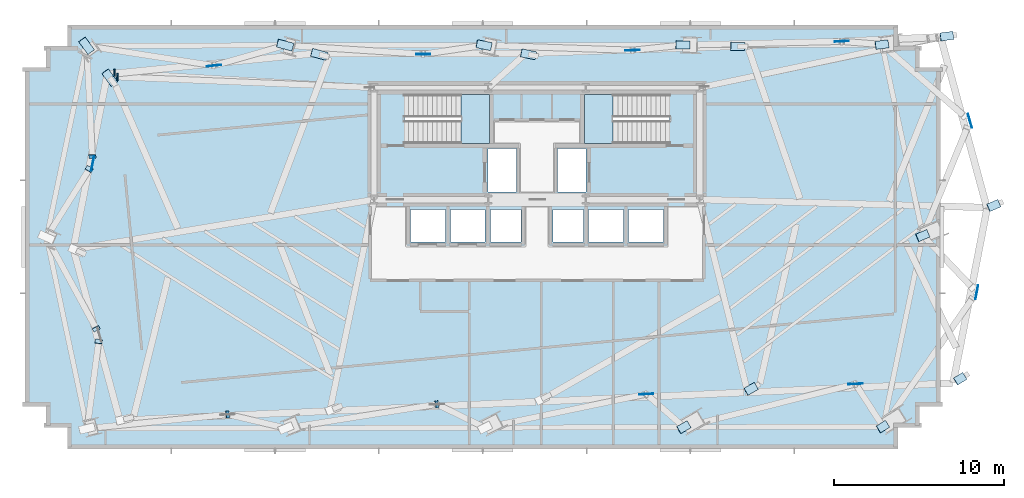
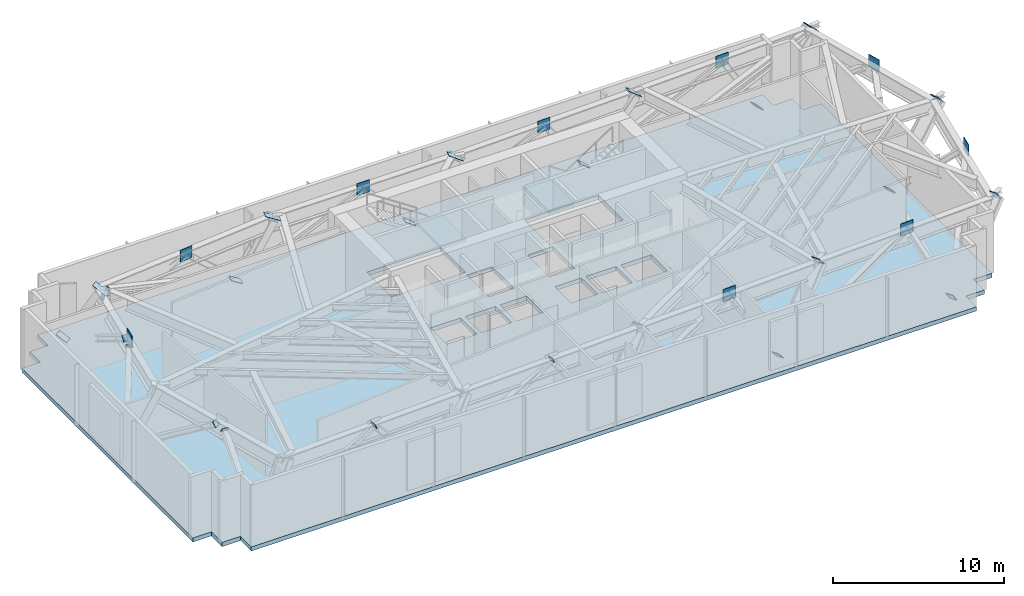
# One storey, part 4 of 11: 33 plates, 3 slabs, 2 elements without a shape of their own.
"""IFC4 building model written with IfcOpenShell, lengths in metres."""

from ifc_helpers import new_model, si_unit, direction, frame, origin, origin_2d, place, context, subcontext, project, spatial, polyline, rectangle, outline, extrude, source, transform, mapped, material, layer, layer_set, type_object, type_shapes, element, aggregate, save


model = new_model("IFC4")

# Units and contexts
model_context = context("Model", 3, precision=1e-05, world=origin(), true_north=direction((0.0, 1.0)))
body_context = subcontext(model_context, "Body", "Model", "MODEL_VIEW")
ifc_project = project(units=[si_unit("LENGTHUNIT", "METRE"), si_unit("AREAUNIT", "SQUARE_METRE"), si_unit("VOLUMEUNIT", "CUBIC_METRE"), si_unit("PLANEANGLEUNIT", "RADIAN"), si_unit("MASSUNIT", "GRAM", prefix="KILO")], contexts=[model_context])

# Site, building, storey
site_placement = place(None, origin())
site = spatial("IfcSite", under=ifc_project, at=site_placement, CompositionType="ELEMENT")
building_placement = place(site_placement, origin())
building = spatial("IfcBuilding", under=site, at=building_placement, Name="Astriad Promenade Condominiums", CompositionType="ELEMENT")
storey_placement = place(building_placement, frame((0.0, 0.0, 67.800048828125)))
storey = spatial("IfcBuildingStorey", under=building, at=storey_placement, Name="L19", CompositionType="ELEMENT", Elevation=67.800048828125)

# Slab
ifc_material_1 = material(Name="Concrete C50/60", Category="concrete")
ifc_layer_1 = layer(ifc_material_1, 0.300048828125)
ifc_layer_set_1 = layer_set([ifc_layer_1], Name="Concrete C50/60")
slab_type_1 = type_object("IfcSlabType", Name="CONCRETE PODIUM AND PLANT FLOOR SLAB 300", PredefinedType="FLOOR", material=ifc_layer_set_1)
slab_1_placement = place(storey_placement, frame((0.0, 0.0, -0.300048828125)))
element("IfcSlab", 1, at=slab_1_placement, inside=storey, type_object=slab_type_1, Name="Structural Floor Slab (L19)", PredefinedType="FLOOR", context=body_context, shape_type="SweptSolid", body=[
    extrude(outline(polyline([(8.300048828125, 2.699951171875), (57.300048828125, 2.699951171875), (57.300048828125, 3.949951171875), (58.550048828125, 3.949951171875), (58.550048828125, 5.199951171875), (59.800048828125, 5.199951171875), (59.800048828125, 25.199951171875), (58.550048828125, 25.199951171875), (58.550048828125, 26.449951171875), (57.300048828125, 26.449951171875), (57.300048828125, 27.699951171875), (8.300048828125, 27.699951171875), (8.300048828125, 26.449951171875), (7.050048828125, 26.449951171875), (7.050048828125, 25.199951171875), (5.800048828125, 25.199951171875), (5.800048828125, 5.199951171875), (7.050048828125, 5.199951171875), (7.050048828125, 3.949951171875), (8.300048828125, 3.949951171875), (8.300048828125, 2.699951171875)]), holes=[polyline([(28.175048828125, 20.699951171875), (33.175048828125, 20.699951171875), (33.175048828125, 23.60009765625), (28.175048828125, 23.60009765625), (28.175048828125, 20.699951171875)]), polyline([(38.824951171875, 20.699951171875), (43.824951171875, 20.699951171875), (43.824951171875, 23.60009765625), (38.824951171875, 23.60009765625), (38.824951171875, 20.699951171875)]), polyline([(33.10009765625, 17.85009765625), (34.800048828125, 17.85009765625), (34.800048828125, 20.39990234375), (33.10009765625, 20.39990234375), (33.10009765625, 17.85009765625)]), polyline([(37.199951171875, 17.85009765625), (38.89990234375, 17.85009765625), (38.89990234375, 20.39990234375), (37.199951171875, 20.39990234375), (37.199951171875, 17.85009765625)]), polyline([(28.550048828125, 14.89990234375), (30.60009765625, 14.89990234375), (30.60009765625, 16.800048828125), (28.550048828125, 16.800048828125), (28.550048828125, 14.89990234375)]), polyline([(30.89990234375, 14.89990234375), (32.949951171875, 14.89990234375), (32.949951171875, 16.800048828125), (30.89990234375, 16.800048828125), (30.89990234375, 14.89990234375)]), polyline([(33.25, 14.89990234375), (35.050048828125, 14.89990234375), (35.050048828125, 16.800048828125), (33.25, 16.800048828125), (33.25, 14.89990234375)]), polyline([(36.949951171875, 14.89990234375), (38.75, 14.89990234375), (38.75, 16.800048828125), (36.949951171875, 16.800048828125), (36.949951171875, 14.89990234375)]), polyline([(39.050048828125, 14.89990234375), (41.10009765625, 14.89990234375), (41.10009765625, 16.800048828125), (39.050048828125, 16.800048828125), (39.050048828125, 14.89990234375)]), polyline([(41.39990234375, 14.89990234375), (43.449951171875, 14.89990234375), (43.449951171875, 16.800048828125), (41.39990234375, 16.800048828125), (41.39990234375, 14.89990234375)])]), origin(), (0.0, 0.0, 1.0), 0.300048828125),
])

# Stair, slab
stair_type = type_object("IfcStairType", Name="STR-CORE-1350", PredefinedType="HALF_TURN_STAIR", material=ifc_material_1)
stair_1_placement = place(storey_placement, origin())
stair_1 = element("IfcStair", 2, at=stair_1_placement, inside=storey, type_object=stair_type, Name="L19 Enclosed Core Exit Stair ST-1", PredefinedType="HALF_TURN_STAIR")
ifc_layer_2 = layer(ifc_material_1, 0.219970703125)
ifc_layer_set_2 = layer_set([ifc_layer_2], Name="Concrete C50/60")
slab_type_2 = type_object("IfcSlabType", Name="SLB-LANDING-220", PredefinedType="LANDING", material=ifc_layer_set_2)
slab_2_placement = place(storey_placement, frame((0.0, 0.0, 2.199951171875)))
slab_2 = element("IfcSlab", 3, at=slab_2_placement, type_object=slab_type_2, Name="ST-1 landing 1", PredefinedType="LANDING", context=body_context, shape_type="SweptSolid", body=[
    extrude(outline(polyline([(31.510009765625, 20.699951171875), (33.199951171875, 20.699951171875), (33.199951171875, 23.60009765625), (31.510009765625, 23.60009765625), (31.510009765625, 20.699951171875)])), origin(), (0.0, 0.0, 1.0), 0.199951171875),
])
aggregate(stair_1, [slab_2])

stair_2_placement = place(storey_placement, origin())
stair_2 = element("IfcStair", 4, at=stair_2_placement, inside=storey, type_object=stair_type, Name="L19 Enclosed Core Exit Stair ST-2", PredefinedType="HALF_TURN_STAIR")
slab_3_placement = place(storey_placement, frame((0.0, 0.0, 2.199951171875)))
slab_3 = element("IfcSlab", 5, at=slab_3_placement, type_object=slab_type_2, Name="ST-2 landing 1", PredefinedType="LANDING", context=body_context, shape_type="SweptSolid", body=[
    extrude(outline(polyline([(40.489990234375, 23.60009765625), (38.800048828125, 23.60009765625), (38.800048828125, 20.699951171875), (40.489990234375, 20.699951171875), (40.489990234375, 23.60009765625)])), origin(), (0.0, 0.0, 1.0), 0.199951171875),
])
aggregate(stair_2, [slab_3])

# Plates
ifc_material_2 = material(Name="Steel ASTM A572 Grade 50", Category="steel")
ifc_layer_3 = layer(ifc_material_2, 0.02490234375)
ifc_layer_set_3 = layer_set([ifc_layer_3], Name="Steel ASTM A572 Grade 50")
plate_type_1 = type_object("IfcPlateType", Name="STEEL HOLLOW SECTION END CAP PLATE 30", PredefinedType="USERDEFINED", material=ifc_layer_set_3)
shared_shape_1 = source(origin(), body_context, "Body", "SweptSolid", [
    extrude(rectangle(XDim=0.477294921875, YDim=1.05126953125, at=origin_2d()), origin(), (0.0, 0.0, 1.0), 0.02490234375),
])
for number, where, z_axis, x_axis, name in (
    (6, (44.656005859375, 3.968994140625, 0.158935546875), (0.650059540692, 0.370726405824, 0.663313293686), (-0.495397153571, 0.868666599009, 0.0), "Hollow Section End Cap Plate COL-PC04-L19-A"),
    (7, (48.620361328125, 6.22998046875, 4.204345703125), (0.650059540692, 0.370726405824, 0.663313293686), (-0.495397153571, 0.868666599009, 0.0), "Hollow Section End Cap Plate COL-PC04-L19-B"),
    (8, (56.394775390625, 4.0009765625, 0.171875), (0.679898506126, 0.421423827078, 0.600116638111), (-0.526837401335, 0.849966089062, 0.0), "Hollow Section End Cap Plate COL-PC05-L19-A"),
    (9, (60.950439453125, 6.82470703125, 4.19287109375), (0.679898506126, 0.421423827078, 0.600116638111), (-0.526837401335, 0.849966089062, 0.0), "Hollow Section End Cap Plate COL-PC05-L19-B"),
    (10, (9.431640625, 26.476318359375, 0.0966796875), (0.28666083507, -0.393955758097, 0.873283703214), (0.80859199748, 0.588369766058, 0.0), "Hollow Section End Cap Plate COL-PC06-L19-A"),
    (11, (10.798828125, 24.59765625, 4.26123046875), (0.28666083507, -0.393955758097, 0.873283703214), (0.80859199748, 0.588369766058, 0.0), "Hollow Section End Cap Plate COL-PC06-L19-B"),
    (12, (21.141845703125, 26.508544921875, 0.0869140625), (0.430629454979, -0.116449121994, 0.894984845956), (0.261040180362, 0.965327936111, 0.0), "Hollow Section End Cap Plate COL-PC07-L19-A"),
    (13, (23.15478515625, 25.96435546875, 4.2705078125), (0.430629454979, -0.116449121994, 0.894984845956), (0.261040180362, 0.965327936111, 0.0), "Hollow Section End Cap Plate COL-PC07-L19-B"),
    (14, (32.86962890625, 26.505859375, 0.10986328125), (0.532300683708, -0.10926096794, 0.839474849539), (0.201069673931, 0.979576942473, 0.0), "Hollow Section End Cap Plate COL-PC08-L19-A"),
    (15, (35.494384765625, 25.967041015625, 4.2490234375), (0.532300683708, -0.10926096794, 0.839474849539), (0.201069673931, 0.979576942473, 0.0), "Hollow Section End Cap Plate COL-PC08-L19-B"),
    (16, (44.600341796875, 26.517333984375, 0.127685546875), (0.618383455019, -0.016597155001, 0.785701239024), (0.026829922604, 0.999640012831, 0.0), "Hollow Section End Cap Plate COL-PC09-L19-A"),
    (17, (47.831298828125, 26.4306640625, 4.232666015625), (0.618383455019, -0.016597155001, 0.785701239024), (0.026829922604, 0.999640012831, 0.0), "Hollow Section End Cap Plate COL-PC09-L19-B"),
    (18, (56.335693359375, 26.53759765625, 0.144287109375), (0.682184060081, 0.08868249601, 0.725782559086), (-0.12891318351, 0.991655883418, 0.0), "Hollow Section End Cap Plate COL-PC10-L19-A"),
    (19, (60.164306640625, 27.035400390625, 4.217529296875), (0.682184060081, 0.08868249601, 0.725782559086), (-0.12891318351, 0.991655883418, 0.0), "Hollow Section End Cap Plate COL-PC10-L19-B"),
    (20, (58.744384765625, 15.26953125, 0.15869140625), (0.688035660794, 0.291297571913, 0.664644757801), (-0.38987333326, 0.920868494419, 0.0), "Hollow Section End Cap Plate COL-PC12-L19-A"),
    (21, (62.9326171875, 17.042724609375, 4.20458984375), (0.688035660794, 0.291297571913, 0.664644757801), (-0.38987333326, 0.920868494419, 0.0), "Hollow Section End Cap Plate COL-PC12-L19-B"),
):
    element("IfcPlate", number, at=place(storey_placement, frame(where, z_axis=z_axis, x_axis=x_axis)), inside=storey, type_object=plate_type_1, Name=name, ObjectType="STIFFENER_PLATE", PredefinedType="USERDEFINED", context=body_context, shape_type="MappedRepresentation", body=[
        mapped(shared_shape_1, transform((0.0, 0.0, 0.0), scale=1.0)),
    ])
shared_shape_2 = source(origin(), body_context, "Body", "SweptSolid", [
    extrude(rectangle(XDim=0.41259765625, YDim=0.40771484375, at=origin_2d()), origin(), (0.0, 0.0, 1.0), 0.02490234375),
])
type_shapes(plate_type_1, [shared_shape_1, shared_shape_2])
for number, where, z_axis, x_axis, name in (
    (22, (17.73779296875, 4.72021484375, 4.18896484375), (0.894461136121, 0.088985991012, 0.438201745059), (-0.098996888041, 0.995087742944, 0.0), "Hollow Section End Cap Plate BRACE-BELT-L19-01A-B"),
    (23, (30.080078125, 5.321044921875, 4.189697265625), (0.900702325826, 0.142176575972, 0.410513265921), (-0.155920222322, 0.987769651422, 0.0), "Hollow Section End Cap Plate BRACE-BELT-L19-02A-B"),
    (24, (10.146484375, 9.01708984375, 3.905517578125), (0.105381927951, 0.801062891627, 0.589230763725), (-0.991457670372, 0.130428861301, 0.0), "Hollow Section End Cap Plate BRACE-BELT-L19-09A-B"),
    (25, (9.99658203125, 9.791259765625, 3.9365234375), (0.404933871092, -0.747182324169, 0.527017205119), (0.879188406541, 0.476474286614, 0.0), "Hollow Section End Cap Plate BRACE-BELT-L19-09B-B"),
    (26, (9.58642578125, 19.187255859375, 3.889404296875), (0.415193508894, 0.66476201483, 0.621052182841), (-0.848160402384, 0.529739494307, 0.0), "Hollow Section End Cap Plate BRACE-BELT-L19-10A-B"),
    (27, (9.772216796875, 19.95068359375, 3.947509765625), (0.043255322986, -0.862247591716, 0.504636569834), (0.998744067278, 0.050102775149, 0.0), "Hollow Section End Cap Plate BRACE-BELT-L19-10B-B"),
    (28, (11.0830078125, 24.8759765625, 3.47265625), (-0.976915710165, 0.055867728009, 0.206190427035), (-0.057094583013, -0.998368773846, 0.0), "Hollow Section End Cap Plate BRACE-OUT-L19-01A-B"),
    (29, (11.267822265625, 24.631103515625, 4.03515625), (-0.978643680306, 0.040823475013, 0.201469578063), (-0.041678093813, -0.999131090746, 0.0), "Hollow Section End Cap Plate BRACE-OUT-L19-01B-B"),
):
    element("IfcPlate", number, at=place(storey_placement, frame(where, z_axis=z_axis, x_axis=x_axis)), inside=storey, type_object=plate_type_1, Name=name, ObjectType="STIFFENER_PLATE", PredefinedType="USERDEFINED", context=body_context, shape_type="MappedRepresentation", body=[
        mapped(shared_shape_2, transform((0.0, 0.0, 0.0), scale=1.0)),
    ])
ifc_layer_4 = layer(ifc_material_2, 0.0400390625)
ifc_layer_set_4 = layer_set([ifc_layer_4], Name="Steel ASTM A572 Grade 50")
plate_type_2 = type_object("IfcPlateType", Name="STEEL TRUSS NODE GUSSET PLATE 40", PredefinedType="USERDEFINED", material=ifc_layer_set_4)
shared_shape_3 = source(origin(), body_context, "Body", "SweptSolid", [
    extrude(rectangle(XDim=0.85009765625, YDim=0.0400390625, at=origin_2d()), origin(), (0.0, 0.0, 1.0), 0.85009765625),
])
type_shapes(plate_type_2, [shared_shape_3])
for number, where, z_axis, x_axis, name in (
    (30, (42.445068359375, 5.926513671875, 3.77490234375), (0.0, 0.0, 1.0), (0.998814648022, 0.048675444496, 0.0), "Truss Gusset Plate GP-BELT-L19-03"),
    (31, (54.783203125, 6.52587890625, 3.77490234375), (0.0, 0.0, 1.0), (0.998831578106, 0.048326789453, 0.0), "Truss Gusset Plate GP-BELT-L19-04"),
    (32, (16.94970703125, 25.29931640625, 3.77490234375), (0.0, 0.0, 1.0), (0.994094279368, 0.108519877105, 0.0), "Truss Gusset Plate GP-BELT-L19-05"),
    (33, (29.2919921875, 25.973388671875, 3.77490234375), (0.0, 0.0, 1.0), (1.0, 0.0, 0.0), "Truss Gusset Plate GP-BELT-L19-06"),
    (34, (41.634521484375, 26.202392578125, 3.77490234375), (0.0, 0.0, 1.0), (0.999315541829, 0.036992537883, 0.0), "Truss Gusset Plate GP-BELT-L19-07"),
    (35, (53.976806640625, 26.732421875, 3.77490234375), (0.0, 0.0, 1.0), (0.998814648022, 0.048675444496, 0.0), "Truss Gusset Plate GP-BELT-L19-08"),
    (36, (9.7939453125, 19.51953125, 3.77490234375), (0.0, 0.0, 1.0), (0.189438199716, 0.981892646112, 0.0), "Truss Gusset Plate GP-BELT-L19-10"),
    (37, (61.939208984375, 11.9326171875, 3.77490234375), (0.0, 0.0, 1.0), (0.189952291512, 0.981793321911, 0.0), "Truss Gusset Plate GP-BELT-L19-11"),
    (38, (61.537841796875, 22.037109375, 3.77490234375), (0.0, 0.0, 1.0), (-0.268079200424, 0.963396876837, 0.0), "Truss Gusset Plate GP-BELT-L19-12"),
):
    element("IfcPlate", number, at=place(storey_placement, frame(where, z_axis=z_axis, x_axis=x_axis)), inside=storey, type_object=plate_type_2, Name=name, ObjectType="GUSSET_PLATE", PredefinedType="USERDEFINED", context=body_context, shape_type="MappedRepresentation", body=[
        mapped(shared_shape_3, transform((0.0, 0.0, 0.0), scale=1.0)),
    ])

save(model, "model.ifc")
